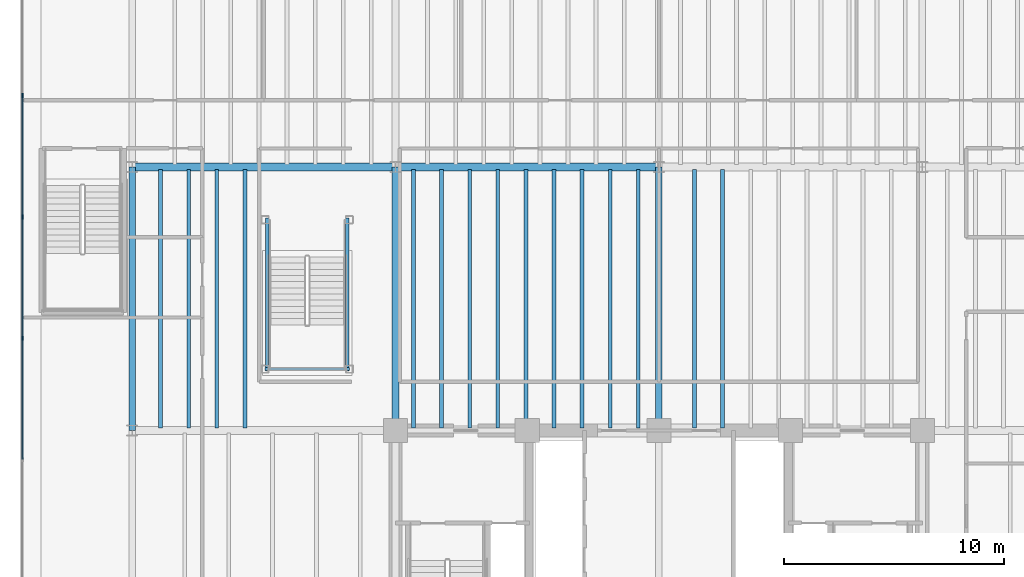
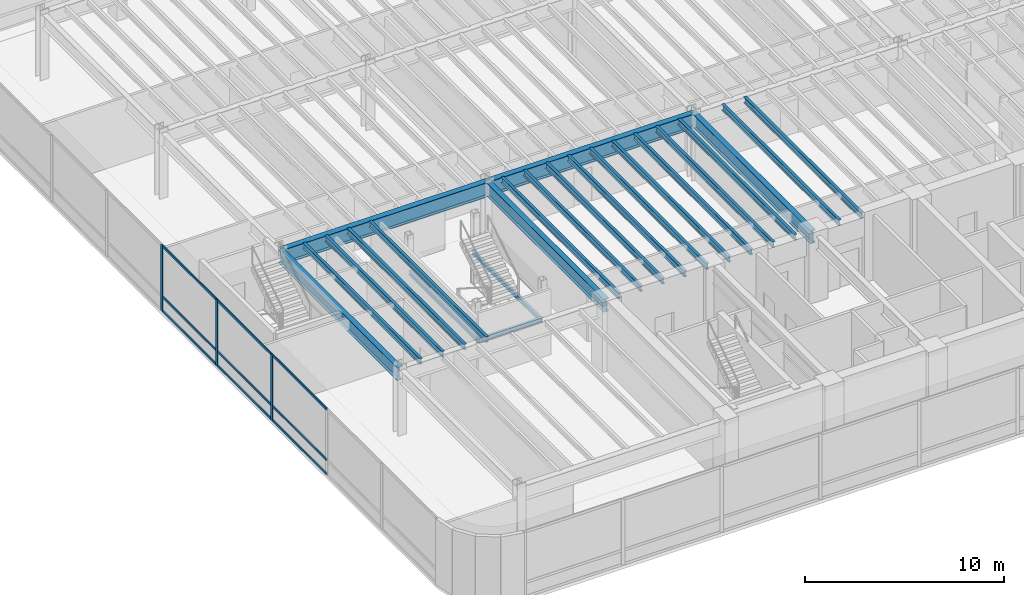
# One storey, part 4 of 18: 23 beams, 12 members, 1 element without a shape of its own.
"""IFC4 building model written with IfcOpenShell, lengths in metres."""

from ifc_helpers import new_model, si_unit, direction, frame, origin, origin_2d, place, context, subcontext, project, spatial, rectangle, i_section, extrude, source, transform, mapped, material, layer, layer_set, material_profile, profile_set, type_object, element, aggregate, save


model = new_model("IFC4")

# Units and contexts
model_context = context("Model", 3, precision=1e-05, world=origin(), true_north=direction((0.0, 1.0)))
body_context = subcontext(model_context, "Body", "Model", "MODEL_VIEW")
ifc_project = project(units=[si_unit("LENGTHUNIT", "METRE"), si_unit("AREAUNIT", "SQUARE_METRE"), si_unit("VOLUMEUNIT", "CUBIC_METRE"), si_unit("PLANEANGLEUNIT", "RADIAN"), si_unit("MASSUNIT", "GRAM", prefix="KILO")], contexts=[model_context])

# Site, building, storey
site_placement = place(None, origin())
site = spatial("IfcSite", under=ifc_project, at=site_placement, CompositionType="ELEMENT")
building_placement = place(site_placement, origin())
building = spatial("IfcBuilding", under=site, at=building_placement, Name="Brelvock Crest Care Tower", CompositionType="ELEMENT")
storey_placement = place(building_placement, frame((0.0, 0.0, 5.39990234375)))
storey = spatial("IfcBuildingStorey", under=building, at=storey_placement, Name="L01", CompositionType="ELEMENT", Elevation=5.39990234375)

# Beams
ifc_material_1 = material(Name="Steel Grade 350", Category="steel")
ifc_material_profile_1 = material_profile(ifc_material_1, i_section(OverallWidth=0.300048828125, OverallDepth=0.800048828125, WebThickness=0.013916015625, FlangeThickness=0.02197265625, at=origin_2d()), Name="800WB192")
ifc_profile_set_1 = profile_set([ifc_material_profile_1], Name="Steel Grade 350")
beam_type_1 = type_object("IfcBeamType", Name="BM-G5", PredefinedType="BEAM", material=ifc_profile_set_1)
shared_shape_1 = source(origin(), body_context, "Body", "SweptSolid", [
    extrude(i_section(OverallWidth=0.300048828125, OverallDepth=0.800048828125, WebThickness=0.013916015625, FlangeThickness=0.02197265625, at=origin_2d()), origin(), (0.0, 0.0, 1.0), 12.0),
])
for number, where, z_axis, x_axis, name in (
    (1, (12.0, 18.0, 3.64013671875), (0.0, 1.0, 0.0), (-1.0, 0.0, 0.0), "BM-PODY-L01-12-18"),
    (2, (24.0, 18.0, 3.64013671875), (0.0, 1.0, 0.0), (-1.0, 0.0, 0.0), "BM-PODY-L01-24-18"),
    (3, (36.0, 18.0, 3.64013671875), (0.0, 1.0, 0.0), (-1.0, 0.0, 0.0), "BM-PODY-L01-36-18"),
):
    element("IfcBeam", number, at=place(storey_placement, frame(where, z_axis=z_axis, x_axis=x_axis)), inside=storey, type_object=beam_type_1, Name=name, PredefinedType="BEAM", context=body_context, shape_type="MappedRepresentation", body=[
        mapped(shared_shape_1, transform((0.0, 0.0, 0.0), x_axis=(1.0, 0.0, 0.0), y_axis=(0.0, 1.0, 0.0), z_axis=(0.0, 0.0, 1.0), scale=1.0)),
    ])
ifc_material_profile_2 = material_profile(ifc_material_1, i_section(OverallWidth=0.35009765625, OverallDepth=0.89990234375, WebThickness=0.01611328125, FlangeThickness=0.028076171875, at=origin_2d()), Name="900WB257")
ifc_profile_set_2 = profile_set([ifc_material_profile_2], Name="Steel Grade 350")
beam_type_2 = type_object("IfcBeamType", Name="BM-G6", PredefinedType="BEAM", material=ifc_profile_set_2)
shared_shape_2 = source(origin(), body_context, "Body", "SweptSolid", [
    extrude(i_section(OverallWidth=0.35009765625, OverallDepth=0.89990234375, WebThickness=0.01611328125, FlangeThickness=0.028076171875, at=origin_2d()), origin(), (0.0, 0.0, 1.0), 12.0),
])
for number, where, z_axis, x_axis, name in (
    (4, (12.0, 30.0, 3.590087890625), (1.0, 0.0, 0.0), (0.0, 1.0, 0.0), "BM-PODX-L01-30-12"),
    (5, (24.0, 30.0, 3.590087890625), (1.0, 0.0, 0.0), (0.0, 1.0, 0.0), "BM-PODX-L01-30-24"),
):
    element("IfcBeam", number, at=place(storey_placement, frame(where, z_axis=z_axis, x_axis=x_axis)), inside=storey, type_object=beam_type_2, Name=name, PredefinedType="BEAM", context=body_context, shape_type="MappedRepresentation", body=[
        mapped(shared_shape_2, transform((0.0, 0.0, 0.0), x_axis=(1.0, 0.0, 0.0), y_axis=(0.0, 1.0, 0.0), z_axis=(0.0, 0.0, 1.0), scale=1.0)),
    ])
ifc_material_profile_3 = material_profile(ifc_material_1, i_section(OverallWidth=0.172119140625, OverallDepth=0.35888671875, WebThickness=0.008056640625, FlangeThickness=0.012939453125, FilletRadius=0.011474609375, at=origin_2d()), Name="360UB56.7")
ifc_profile_set_3 = profile_set([ifc_material_profile_3], Name="Steel Grade 350")
beam_type_3 = type_object("IfcBeamType", Name="BM-J1", PredefinedType="JOIST", material=ifc_profile_set_3)
shared_shape_3 = source(origin(), body_context, "Body", "SweptSolid", [
    extrude(i_section(OverallWidth=0.172119140625, OverallDepth=0.35888671875, WebThickness=0.008056640625, FlangeThickness=0.012939453125, FilletRadius=0.011474609375, at=origin_2d()), origin(), (0.0, 0.0, 1.0), 11.77001953125),
])
for number, where, z_axis, x_axis, name in (
    (6, (13.300048828125, 18.114990234375, 3.860595703125), (0.0, 1.0, 0.0), (-1.0, 0.0, 0.0), "BM-PODJ-L01-1330-18"),
    (7, (14.580078125, 18.114990234375, 3.860595703125), (0.0, 1.0, 0.0), (-1.0, 0.0, 0.0), "BM-PODJ-L01-1458-18"),
    (8, (15.860107421875, 18.114990234375, 3.860595703125), (0.0, 1.0, 0.0), (-1.0, 0.0, 0.0), "BM-PODJ-L01-1586-18"),
    (9, (17.139892578125, 18.114990234375, 3.860595703125), (0.0, 1.0, 0.0), (-1.0, 0.0, 0.0), "BM-PODJ-L01-1714-18"),
    (10, (24.820068359375, 18.114990234375, 3.860595703125), (0.0, 1.0, 0.0), (-1.0, 0.0, 0.0), "BM-PODJ-L01-2482-18"),
    (11, (26.10009765625, 18.114990234375, 3.860595703125), (0.0, 1.0, 0.0), (-1.0, 0.0, 0.0), "BM-PODJ-L01-2610-18"),
    (12, (27.3798828125, 18.114990234375, 3.860595703125), (0.0, 1.0, 0.0), (-1.0, 0.0, 0.0), "BM-PODJ-L01-2738-18"),
    (13, (28.659912109375, 18.114990234375, 3.860595703125), (0.0, 1.0, 0.0), (-1.0, 0.0, 0.0), "BM-PODJ-L01-2866-18"),
    (14, (29.93994140625, 18.114990234375, 3.860595703125), (0.0, 1.0, 0.0), (-1.0, 0.0, 0.0), "BM-PODJ-L01-2994-18"),
    (15, (31.219970703125, 18.114990234375, 3.860595703125), (0.0, 1.0, 0.0), (-1.0, 0.0, 0.0), "BM-PODJ-L01-3122-18"),
    (16, (32.5, 18.114990234375, 3.860595703125), (0.0, 1.0, 0.0), (-1.0, 0.0, 0.0), "BM-PODJ-L01-3250-18"),
    (17, (33.780029296875, 18.114990234375, 3.860595703125), (0.0, 1.0, 0.0), (-1.0, 0.0, 0.0), "BM-PODJ-L01-3378-18"),
    (18, (35.06005859375, 18.114990234375, 3.860595703125), (0.0, 1.0, 0.0), (-1.0, 0.0, 0.0), "BM-PODJ-L01-3506-18"),
    (19, (37.6201171875, 18.114990234375, 3.860595703125), (0.0, 1.0, 0.0), (-1.0, 0.0, 0.0), "BM-PODJ-L01-3762-18"),
    (20, (38.89990234375, 18.114990234375, 3.860595703125), (0.0, 1.0, 0.0), (-1.0, 0.0, 0.0), "BM-PODJ-L01-3890-18"),
):
    element("IfcBeam", number, at=place(storey_placement, frame(where, z_axis=z_axis, x_axis=x_axis)), inside=storey, type_object=beam_type_3, Name=name, PredefinedType="JOIST", context=body_context, shape_type="MappedRepresentation", body=[
        mapped(shared_shape_3, transform((0.0, 0.0, 0.0), x_axis=(1.0, 0.0, 0.0), y_axis=(0.0, 1.0, 0.0), z_axis=(0.0, 0.0, 1.0), scale=1.0)),
    ])
ifc_material_profile_4 = material_profile(ifc_material_1, i_section(OverallWidth=0.14599609375, OverallDepth=0.256103515625, WebThickness=0.00634765625, FlangeThickness=0.010986328125, FilletRadius=0.0087890625, at=origin_2d()), Name="250UB37.3")
ifc_profile_set_4 = profile_set([ifc_material_profile_4], Name="Steel Grade 350")
beam_type_4 = type_object("IfcBeamType", Name="BM-J3", PredefinedType="JOIST", material=ifc_profile_set_4)
shared_shape_4 = source(origin(), body_context, "Body", "SweptSolid", [
    extrude(i_section(OverallWidth=0.14599609375, OverallDepth=0.256103515625, WebThickness=0.00634765625, FlangeThickness=0.010986328125, FilletRadius=0.0087890625, at=origin_2d()), origin(), (0.0, 0.0, 1.0), 3.83984375),
])
beam_placement = place(storey_placement, frame((18.06005859375, 20.800048828125, 1.83203125), z_axis=(1.0, 0.0, 0.0), x_axis=(0.0, 1.0, 0.0)))
element("IfcBeam", 21, at=beam_placement, inside=storey, type_object=beam_type_4, Name="BM-ST5L-L01-1-H", PredefinedType="JOIST", context=body_context, shape_type="MappedRepresentation", body=[
    mapped(shared_shape_4, transform((0.0, 0.0, 0.0), x_axis=(1.0, 0.0, 0.0), y_axis=(0.0, 1.0, 0.0), z_axis=(0.0, 0.0, 1.0), scale=1.0)),
])
shared_shape_5 = source(origin(), body_context, "Body", "SweptSolid", [
    extrude(i_section(OverallWidth=0.14599609375, OverallDepth=0.256103515625, WebThickness=0.00634765625, FlangeThickness=0.010986328125, FilletRadius=0.0087890625, at=origin_2d()), origin(), (0.0, 0.0, 1.0), 6.9599609375),
])
for number, where, z_axis, x_axis, name in (
    (22, (18.159912109375, 20.719970703125, 1.83203125), (0.0, 1.0, 0.0), (-1.0, 0.0, 0.0), "BM-ST5L-L01-1-W"),
    (23, (21.800048828125, 20.719970703125, 1.83203125), (0.0, 1.0, 0.0), (-1.0, 0.0, 0.0), "BM-ST5L-L01-1-E"),
):
    element("IfcBeam", number, at=place(storey_placement, frame(where, z_axis=z_axis, x_axis=x_axis)), inside=storey, type_object=beam_type_4, Name=name, PredefinedType="JOIST", context=body_context, shape_type="MappedRepresentation", body=[
        mapped(shared_shape_5, transform((0.0, 0.0, 0.0), x_axis=(1.0, 0.0, 0.0), y_axis=(0.0, 1.0, 0.0), z_axis=(0.0, 0.0, 1.0), scale=1.0)),
    ])

# Curtain wall, members
ifc_material_2 = material(Name="Dark Glass Double Glazed Low-E", Category="glass")
ifc_layer = layer(ifc_material_2, 0.179931640625, Name="CWS-1")
ifc_layer_set = layer_set([ifc_layer], Name="Dark Glass Double Glazed Low-E")
curtain_wall_type = type_object("IfcCurtainWallType", Name="CWS-1", PredefinedType="NOTDEFINED", material=ifc_layer_set)
curtain_wall_placement = place(storey_placement, origin())
curtain_wall = element("IfcCurtainWall", 24, at=curtain_wall_placement, inside=storey, type_object=curtain_wall_type, Name="L01 Curtain Wall E04", PredefinedType="NOTDEFINED")
ifc_material_3 = material(Name="Aluminium 6063-T6", Category="aluminium")
ifc_material_profile_5 = material_profile(ifc_material_3, rectangle(XDim=0.06494140625, YDim=0.199951171875, at=origin_2d()), Name="ALU65x200")
ifc_profile_set_5 = profile_set([ifc_material_profile_5], Name="Aluminium 6063-T6")
member_type_1 = type_object("IfcMemberType", Name="CWM-1", PredefinedType="MULLION", material=ifc_profile_set_5)
shared_shape_6 = source(origin(), body_context, "Body", "SweptSolid", [
    extrude(rectangle(XDim=0.06494140625, YDim=0.199951171875, at=origin_2d()), origin(), (0.0, 0.0, 1.0), 4.0400390625),
])
member_1_placement = place(storey_placement, frame((7.0, 22.199951171875, 0.0), z_axis=(0.0, 0.0, 1.0), x_axis=(-1.0, 0.0, 0.0)))
member_1 = element("IfcMember", 25, at=member_1_placement, type_object=member_type_1, Name="CW-1 mullion 4", PredefinedType="MULLION", context=body_context, shape_type="MappedRepresentation", body=[
    mapped(shared_shape_6, transform((0.0, 0.0, 0.0), x_axis=(1.0, 0.0, 0.0), y_axis=(0.0, 1.0, 0.0), z_axis=(0.0, 0.0, 1.0), scale=1.0)),
])
member_2_placement = place(storey_placement, frame((7.0, 27.7333984375, 0.0), z_axis=(0.0, 0.0, 1.0), x_axis=(-1.0, 0.0, 0.0)))
member_2 = element("IfcMember", 26, at=member_2_placement, type_object=member_type_1, Name="CW-1 mullion 5", PredefinedType="MULLION", context=body_context, shape_type="MappedRepresentation", body=[
    mapped(shared_shape_6, transform((0.0, 0.0, 0.0), x_axis=(1.0, 0.0, 0.0), y_axis=(0.0, 1.0, 0.0), z_axis=(0.0, 0.0, 1.0), scale=1.0)),
])
member_3_placement = place(storey_placement, frame((7.0, 33.2666015625, 0.0), z_axis=(0.0, 0.0, 1.0), x_axis=(-1.0, 0.0, 0.0)))
member_3 = element("IfcMember", 27, at=member_3_placement, type_object=member_type_1, Name="CW-1 mullion 6", PredefinedType="MULLION", context=body_context, shape_type="MappedRepresentation", body=[
    mapped(shared_shape_6, transform((0.0, 0.0, 0.0), x_axis=(1.0, 0.0, 0.0), y_axis=(0.0, 1.0, 0.0), z_axis=(0.0, 0.0, 1.0), scale=1.0)),
])
ifc_material_profile_6 = material_profile(ifc_material_3, rectangle(XDim=0.06494140625, YDim=0.14990234375, at=origin_2d()), Name="ALU65x150")
ifc_profile_set_6 = profile_set([ifc_material_profile_6], Name="Aluminium 6063-T6")
member_type_2 = type_object("IfcMemberType", Name="CWT-1", PredefinedType="USERDEFINED", material=ifc_profile_set_6)
shared_shape_7 = source(origin(), body_context, "Body", "SweptSolid", [
    extrude(rectangle(XDim=0.06494140625, YDim=0.14990234375, at=origin_2d()), origin(), (0.0, 0.0, 1.0), 5.468505859375),
])
member_4_placement = place(storey_placement, frame((7.0, 22.232421875, 0.03271484375), z_axis=(0.0, 1.0, 0.0), x_axis=(-1.0, 0.0, 0.0)))
member_4 = element("IfcMember", 28, at=member_4_placement, type_object=member_type_2, Name="CW-1 transom 4.1", ObjectType="TRANSOM", PredefinedType="USERDEFINED", context=body_context, shape_type="MappedRepresentation", body=[
    mapped(shared_shape_7, transform((0.0, 0.0, 0.0), x_axis=(1.0, 0.0, 0.0), y_axis=(0.0, 1.0, 0.0), z_axis=(0.0, 0.0, 1.0), scale=1.0)),
])
member_5_placement = place(storey_placement, frame((7.0, 22.232421875, 0.900146484375), z_axis=(0.0, 1.0, 0.0), x_axis=(-1.0, 0.0, 0.0)))
member_5 = element("IfcMember", 29, at=member_5_placement, type_object=member_type_2, Name="CW-1 transom 4.2", ObjectType="TRANSOM", PredefinedType="USERDEFINED", context=body_context, shape_type="MappedRepresentation", body=[
    mapped(shared_shape_7, transform((0.0, 0.0, 0.0), x_axis=(1.0, 0.0, 0.0), y_axis=(0.0, 1.0, 0.0), z_axis=(0.0, 0.0, 1.0), scale=1.0)),
])
member_6_placement = place(storey_placement, frame((7.0, 22.232421875, 4.007568359375), z_axis=(0.0, 1.0, 0.0), x_axis=(-1.0, 0.0, 0.0)))
member_6 = element("IfcMember", 30, at=member_6_placement, type_object=member_type_2, Name="CW-1 transom 4.3", ObjectType="TRANSOM", PredefinedType="USERDEFINED", context=body_context, shape_type="MappedRepresentation", body=[
    mapped(shared_shape_7, transform((0.0, 0.0, 0.0), x_axis=(1.0, 0.0, 0.0), y_axis=(0.0, 1.0, 0.0), z_axis=(0.0, 0.0, 1.0), scale=1.0)),
])
shared_shape_8 = source(origin(), body_context, "Body", "SweptSolid", [
    extrude(rectangle(XDim=0.06494140625, YDim=0.14990234375, at=origin_2d()), origin(), (0.0, 0.0, 1.0), 5.46826171875),
])
member_7_placement = place(storey_placement, frame((7.0, 16.69921875, 0.03271484375), z_axis=(0.0, 1.0, 0.0), x_axis=(-1.0, 0.0, 0.0)))
member_7 = element("IfcMember", 31, at=member_7_placement, type_object=member_type_2, Name="CW-1 transom 3.1", ObjectType="TRANSOM", PredefinedType="USERDEFINED", context=body_context, shape_type="MappedRepresentation", body=[
    mapped(shared_shape_8, transform((0.0, 0.0, 0.0), x_axis=(1.0, 0.0, 0.0), y_axis=(0.0, 1.0, 0.0), z_axis=(0.0, 0.0, 1.0), scale=1.0)),
])
member_8_placement = place(storey_placement, frame((7.0, 16.69921875, 0.900146484375), z_axis=(0.0, 1.0, 0.0), x_axis=(-1.0, 0.0, 0.0)))
member_8 = element("IfcMember", 32, at=member_8_placement, type_object=member_type_2, Name="CW-1 transom 3.2", ObjectType="TRANSOM", PredefinedType="USERDEFINED", context=body_context, shape_type="MappedRepresentation", body=[
    mapped(shared_shape_8, transform((0.0, 0.0, 0.0), x_axis=(1.0, 0.0, 0.0), y_axis=(0.0, 1.0, 0.0), z_axis=(0.0, 0.0, 1.0), scale=1.0)),
])
member_9_placement = place(storey_placement, frame((7.0, 16.69921875, 4.007568359375), z_axis=(0.0, 1.0, 0.0), x_axis=(-1.0, 0.0, 0.0)))
member_9 = element("IfcMember", 33, at=member_9_placement, type_object=member_type_2, Name="CW-1 transom 3.3", ObjectType="TRANSOM", PredefinedType="USERDEFINED", context=body_context, shape_type="MappedRepresentation", body=[
    mapped(shared_shape_8, transform((0.0, 0.0, 0.0), x_axis=(1.0, 0.0, 0.0), y_axis=(0.0, 1.0, 0.0), z_axis=(0.0, 0.0, 1.0), scale=1.0)),
])
member_10_placement = place(storey_placement, frame((7.0, 27.765869140625, 0.03271484375), z_axis=(0.0, 1.0, 0.0), x_axis=(-1.0, 0.0, 0.0)))
member_10 = element("IfcMember", 34, at=member_10_placement, type_object=member_type_2, Name="CW-1 transom 5.1", ObjectType="TRANSOM", PredefinedType="USERDEFINED", context=body_context, shape_type="MappedRepresentation", body=[
    mapped(shared_shape_8, transform((0.0, 0.0, 0.0), x_axis=(1.0, 0.0, 0.0), y_axis=(0.0, 1.0, 0.0), z_axis=(0.0, 0.0, 1.0), scale=1.0)),
])
member_11_placement = place(storey_placement, frame((7.0, 27.765869140625, 0.900146484375), z_axis=(0.0, 1.0, 0.0), x_axis=(-1.0, 0.0, 0.0)))
member_11 = element("IfcMember", 35, at=member_11_placement, type_object=member_type_2, Name="CW-1 transom 5.2", ObjectType="TRANSOM", PredefinedType="USERDEFINED", context=body_context, shape_type="MappedRepresentation", body=[
    mapped(shared_shape_8, transform((0.0, 0.0, 0.0), x_axis=(1.0, 0.0, 0.0), y_axis=(0.0, 1.0, 0.0), z_axis=(0.0, 0.0, 1.0), scale=1.0)),
])
member_12_placement = place(storey_placement, frame((7.0, 27.765869140625, 4.007568359375), z_axis=(0.0, 1.0, 0.0), x_axis=(-1.0, 0.0, 0.0)))
member_12 = element("IfcMember", 36, at=member_12_placement, type_object=member_type_2, Name="CW-1 transom 5.3", ObjectType="TRANSOM", PredefinedType="USERDEFINED", context=body_context, shape_type="MappedRepresentation", body=[
    mapped(shared_shape_8, transform((0.0, 0.0, 0.0), x_axis=(1.0, 0.0, 0.0), y_axis=(0.0, 1.0, 0.0), z_axis=(0.0, 0.0, 1.0), scale=1.0)),
])
aggregate(curtain_wall, [member_1, member_2, member_3, member_7, member_8, member_9, member_4, member_5, member_6, member_10, member_11, member_12])

save(model, "model.ifc")
